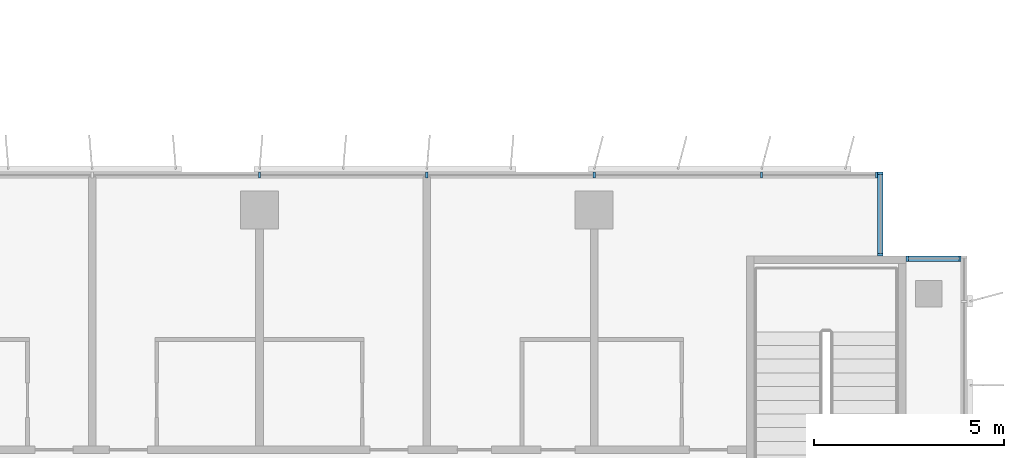
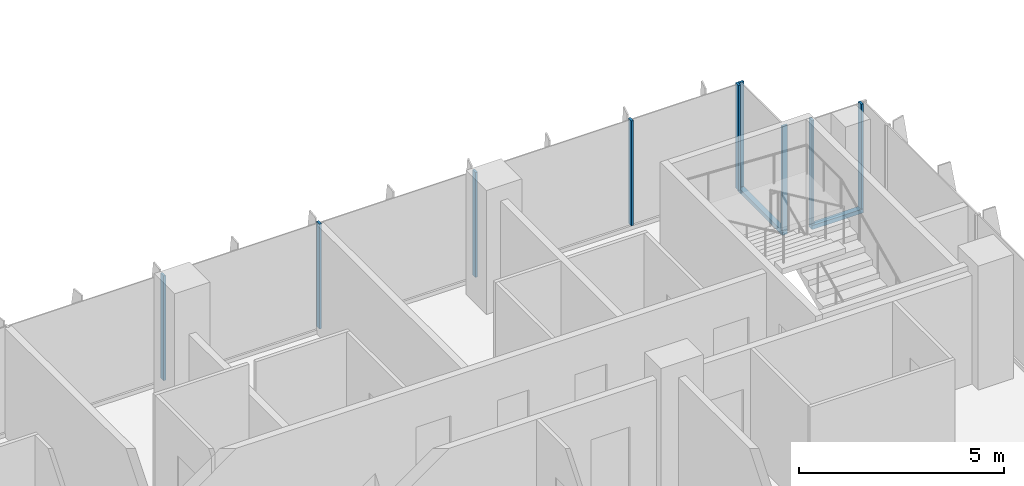
# One storey, part 4 of 21: 11 members, 3 elements without a shape of their own.
"""IFC4 building model written with IfcOpenShell, lengths in metres."""

from ifc_helpers import new_model, si_unit, direction, frame, origin, origin_2d, place, context, subcontext, project, spatial, rectangle, extrude, source, transform, mapped, material, material_profile, profile_set, type_object, element, aggregate, save


model = new_model("IFC4")

# Units and contexts
model_context = context("Model", 3, precision=1e-05, world=origin(), true_north=direction((0.0, 1.0)))
body_context = subcontext(model_context, "Body", "Model", "MODEL_VIEW")
ifc_project = project(units=[si_unit("LENGTHUNIT", "METRE"), si_unit("AREAUNIT", "SQUARE_METRE"), si_unit("VOLUMEUNIT", "CUBIC_METRE"), si_unit("PLANEANGLEUNIT", "RADIAN"), si_unit("MASSUNIT", "GRAM", prefix="KILO")], contexts=[model_context])

# Site, building, storey
site_placement = place(None, origin())
site = spatial("IfcSite", under=ifc_project, at=site_placement, CompositionType="ELEMENT")
building_placement = place(site_placement, origin())
building = spatial("IfcBuilding", under=site, at=building_placement, Name="Kemantara Hotel Tower", CompositionType="ELEMENT")
storey_placement = place(building_placement, frame((0.0, 0.0, 219.10009765625)))
storey = spatial("IfcBuildingStorey", under=building, at=storey_placement, Name="L54", CompositionType="ELEMENT", Elevation=219.10009765625)

# Curtain wall, member
ifc_material_1 = material(Name="Low-E tinted double insulated glass 36 mm", Category="glass")
curtain_wall_type = type_object("IfcCurtainWallType", Name="TOWER CURTAIN WALL, FRONT FACES", PredefinedType="USERDEFINED", material=ifc_material_1)
curtain_wall_1_placement = place(storey_placement, origin())
curtain_wall_1 = element("IfcCurtainWall", 1, at=curtain_wall_1_placement, inside=storey, type_object=curtain_wall_type, Name="CW4 L54 T3-R12-1", ObjectType="TOWER CURTAIN WALL, FRONT FACES", PredefinedType="USERDEFINED")
ifc_material_2 = material(Name="Aluminium 6063-T6 bronze anodised", Category="aluminium")
ifc_material_profile_1 = material_profile(ifc_material_2, rectangle(XDim=0.14990234375, YDim=0.1201171875, at=origin_2d()), Name="TOWER CURTAIN WALL, FRONT FACES TRANSOM")
ifc_profile_set_1 = profile_set([ifc_material_profile_1], Name="Aluminium 6063-T6 bronze anodised")
member_type_1 = type_object("IfcMemberType", Name="TOWER CURTAIN WALL, FRONT FACES TRANSOM", PredefinedType="USERDEFINED", material=ifc_profile_set_1)
member_1_placement = place(storey_placement, frame((63.449951171875, 19.72509765625, 0.059814453125), z_axis=(-1.0, 0.0, 0.0), x_axis=(0.0, -1.0, 0.0)))
member_1 = element("IfcMember", 2, at=member_1_placement, type_object=member_type_1, Name="CW4 sill transom T3-R12-1", ObjectType="TRANSOM", PredefinedType="USERDEFINED", context=body_context, shape_type="SweptSolid", body=[
    extrude(rectangle(XDim=0.14990234375, YDim=0.1201171875, at=origin_2d()), origin(), (0.0, 0.0, 1.0), 1.449951171875),
])

curtain_wall_2_placement = place(storey_placement, origin())
curtain_wall_2 = element("IfcCurtainWall", 3, at=curtain_wall_2_placement, inside=storey, type_object=curtain_wall_type, Name="CW4 L54 T3-R13-1", ObjectType="TOWER CURTAIN WALL, FRONT FACES", PredefinedType="USERDEFINED")
member_2_placement = place(storey_placement, frame((61.324951171875, 19.800048828125, 0.059814453125), z_axis=(0.0, 1.0, 0.0), x_axis=(-1.0, 0.0, 0.0)))
member_2 = element("IfcMember", 4, at=member_2_placement, type_object=member_type_1, Name="CW4 sill transom T3-R13-1", ObjectType="TRANSOM", PredefinedType="USERDEFINED", context=body_context, shape_type="SweptSolid", body=[
    extrude(rectangle(XDim=0.14990234375, YDim=0.1201171875, at=origin_2d()), origin(), (0.0, 0.0, 1.0), 2.199951171875),
])

# Curtain wall, members
curtain_wall_3_placement = place(storey_placement, origin())
curtain_wall_3 = element("IfcCurtainWall", 5, at=curtain_wall_3_placement, inside=storey, type_object=curtain_wall_type, Name="CW4 L54 T3-R14-1", ObjectType="TOWER CURTAIN WALL, FRONT FACES", PredefinedType="USERDEFINED")
ifc_material_profile_2 = material_profile(ifc_material_2, rectangle(XDim=0.14990234375, YDim=0.06005859375, at=origin_2d()), Name="TOWER CURTAIN WALL, FRONT FACES MULLION")
ifc_profile_set_2 = profile_set([ifc_material_profile_2], Name="Aluminium 6063-T6 bronze anodised")
member_type_2 = type_object("IfcMemberType", Name="TOWER CURTAIN WALL, FRONT FACES MULLION", PredefinedType="MULLION", material=ifc_profile_set_2)
shared_shape = source(origin(), body_context, "Body", "SweptSolid", [
    extrude(rectangle(XDim=0.14990234375, YDim=0.06005859375, at=origin_2d()), origin(), (0.0, 0.0, 1.0), 3.130126953125),
])
member_3_placement = place(storey_placement, frame((61.219970703125, 21.925048828125, 0.119873046875), z_axis=(0.0, 0.0, 1.0), x_axis=(0.0, -1.0, 0.0)))
member_3 = element("IfcMember", 6, at=member_3_placement, type_object=member_type_2, Name="CW4 mullion T3-R14-1.1", PredefinedType="MULLION", context=body_context, shape_type="MappedRepresentation", body=[
    mapped(shared_shape, transform((0.0, 0.0, 0.0))),
])
member_4_placement = place(storey_placement, frame((58.199951171875, 21.925048828125, 0.119873046875), z_axis=(0.0, 0.0, 1.0), x_axis=(0.0, -1.0, 0.0)))
member_4 = element("IfcMember", 7, at=member_4_placement, type_object=member_type_2, Name="CW4 mullion T3-R14-1.2", PredefinedType="MULLION", context=body_context, shape_type="MappedRepresentation", body=[
    mapped(shared_shape, transform((0.0, 0.0, 0.0))),
])
member_5_placement = place(storey_placement, frame((53.800048828125, 21.925048828125, 0.119873046875), z_axis=(0.0, 0.0, 1.0), x_axis=(0.0, -1.0, 0.0)))
member_5 = element("IfcMember", 8, at=member_5_placement, type_object=member_type_2, Name="CW4 mullion T3-R14-1.3", PredefinedType="MULLION", context=body_context, shape_type="MappedRepresentation", body=[
    mapped(shared_shape, transform((0.0, 0.0, 0.0))),
])
member_6_placement = place(storey_placement, frame((49.39990234375, 21.925048828125, 0.119873046875), z_axis=(0.0, 0.0, 1.0), x_axis=(0.0, -1.0, 0.0)))
member_6 = element("IfcMember", 9, at=member_6_placement, type_object=member_type_2, Name="CW4 mullion T3-R14-1.4", PredefinedType="MULLION", context=body_context, shape_type="MappedRepresentation", body=[
    mapped(shared_shape, transform((0.0, 0.0, 0.0))),
])
member_7_placement = place(storey_placement, frame((45.0, 21.925048828125, 0.119873046875), z_axis=(0.0, 0.0, 1.0), x_axis=(0.0, -1.0, 0.0)))
member_7 = element("IfcMember", 10, at=member_7_placement, type_object=member_type_2, Name="CW4 mullion T3-R14-1.5", PredefinedType="MULLION", context=body_context, shape_type="MappedRepresentation", body=[
    mapped(shared_shape, transform((0.0, 0.0, 0.0))),
])
aggregate(curtain_wall_3, [member_3, member_4, member_5, member_6, member_7])

# Member
member_8_placement = place(storey_placement, frame((63.419921875, 19.72509765625, 0.119873046875), z_axis=(0.0, 0.0, 1.0), x_axis=(0.0, -1.0, 0.0)))
member_8 = element("IfcMember", 11, at=member_8_placement, type_object=member_type_2, Name="CW4 mullion T3-R12-1.1", PredefinedType="MULLION", context=body_context, shape_type="MappedRepresentation", body=[
    mapped(shared_shape, transform((0.0, 0.0, 0.0))),
])

member_9_placement = place(storey_placement, frame((62.030029296875, 19.72509765625, 0.119873046875), z_axis=(0.0, 0.0, 1.0), x_axis=(0.0, -1.0, 0.0)))
member_9 = element("IfcMember", 12, at=member_9_placement, type_object=member_type_2, Name="CW4 mullion T3-R12-1.2", PredefinedType="MULLION", context=body_context, shape_type="MappedRepresentation", body=[
    mapped(shared_shape, transform((0.0, 0.0, 0.0))),
])

aggregate(curtain_wall_1, [member_1, member_8, member_9])

member_10_placement = place(storey_placement, frame((61.324951171875, 19.830078125, 0.119873046875), z_axis=(0.0, 0.0, 1.0), x_axis=(-1.0, 0.0, 0.0)))
member_10 = element("IfcMember", 13, at=member_10_placement, type_object=member_type_2, Name="CW4 mullion T3-R13-1.1", PredefinedType="MULLION", context=body_context, shape_type="MappedRepresentation", body=[
    mapped(shared_shape, transform((0.0, 0.0, 0.0))),
])

member_11_placement = place(storey_placement, frame((61.324951171875, 21.969970703125, 0.119873046875), z_axis=(0.0, 0.0, 1.0), x_axis=(-1.0, 0.0, 0.0)))
member_11 = element("IfcMember", 14, at=member_11_placement, type_object=member_type_2, Name="CW4 mullion T3-R13-1.2", PredefinedType="MULLION", context=body_context, shape_type="MappedRepresentation", body=[
    mapped(shared_shape, transform((0.0, 0.0, 0.0))),
])

aggregate(curtain_wall_2, [member_2, member_10, member_11])

save(model, "model.ifc")
